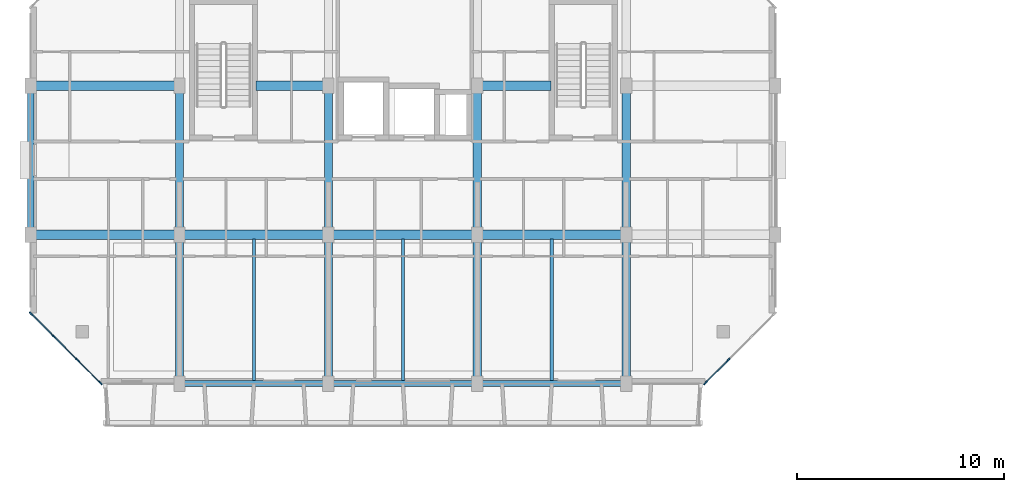
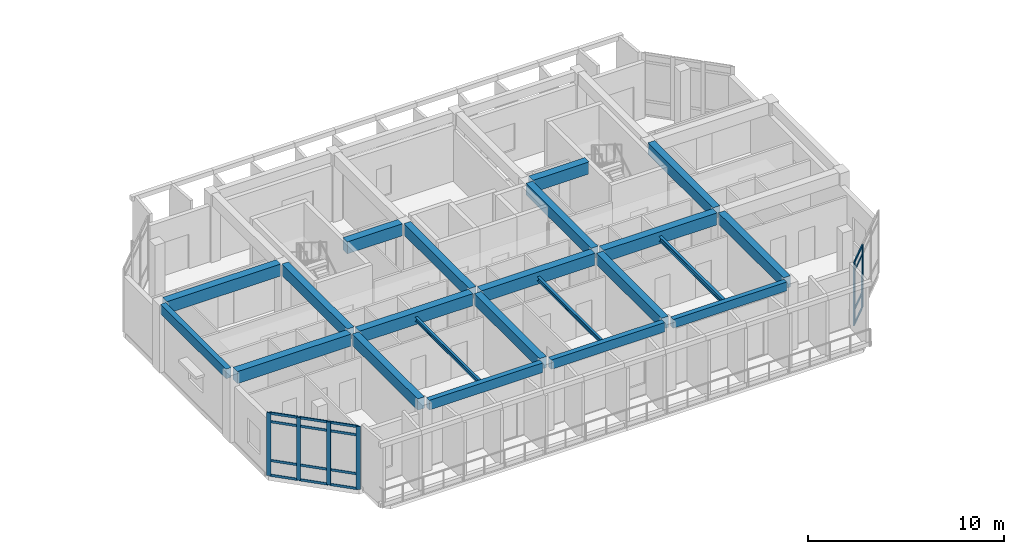
# One storey, part 16 of 85: 22 beams, 22 members, 2 elements without a shape of their own.
"""IFC4 building model written with IfcOpenShell, lengths in metres."""

from ifc_helpers import new_model, si_unit, direction, frame, origin, origin_2d, place, context, subcontext, project, spatial, rectangle, i_section, extrude, material, layer, layer_set, material_profile, profile_set, type_object, element, aggregate, save


model = new_model("IFC4")

# Units and contexts
model_context = context("Model", 3, precision=1e-05, world=origin(), true_north=direction((0.0, 1.0)))
body_context = subcontext(model_context, "Body", "Model", "MODEL_VIEW")
ifc_project = project(units=[si_unit("LENGTHUNIT", "METRE"), si_unit("AREAUNIT", "SQUARE_METRE"), si_unit("VOLUMEUNIT", "CUBIC_METRE"), si_unit("PLANEANGLEUNIT", "RADIAN"), si_unit("MASSUNIT", "GRAM", prefix="KILO")], contexts=[model_context])

# Site, building, storey
site_placement = place(None, origin())
site = spatial("IfcSite", under=ifc_project, at=site_placement, CompositionType="ELEMENT")
building_placement = place(site_placement, origin())
building = spatial("IfcBuilding", under=site, at=building_placement, Name="Ochrevale Crest", CompositionType="ELEMENT")
storey_placement = place(building_placement, frame((0.0, 0.0, 4.5)))
storey = spatial("IfcBuildingStorey", under=building, at=storey_placement, Name="L01", CompositionType="ELEMENT", Elevation=4.5)

# Beams
ifc_material_1 = material(Name="Precast concrete C50/60", Category="concrete")
ifc_material_profile_1 = material_profile(ifc_material_1, rectangle(XDim=0.39990234375, YDim=0.699951171875, at=origin_2d()), Name="PC 400x700")
ifc_profile_set_1 = profile_set([ifc_material_profile_1], Name="Precast concrete C50/60")
beam_type_1 = type_object("IfcBeamType", Name="BM-PC400x700", PredefinedType="BEAM", material=ifc_profile_set_1)
for number, where, z_axis, x_axis, name in (
    (1, (7.199951171875, 14.655029296875, 3.85009765625), (0.0, 1.0, 0.0), (-1.0, 0.0, 0.0), "Block A L01 N-S beam X=7.2"),
    (2, (7.199951171875, 21.85498046875, 3.85009765625), (0.0, 1.0, 0.0), (-1.0, 0.0, 0.0), "Block A L01 N-S beam X=7.2"),
    (3, (14.39990234375, 14.655029296875, 3.85009765625), (0.0, 1.0, 0.0), (-1.0, 0.0, 0.0), "Block A L01 N-S beam X=14.4"),
    (4, (14.39990234375, 21.85498046875, 3.85009765625), (0.0, 1.0, 0.0), (-1.0, 0.0, 0.0), "Block A L01 N-S beam X=14.4"),
    (5, (21.60009765625, 14.655029296875, 3.85009765625), (0.0, 1.0, 0.0), (-1.0, 0.0, 0.0), "Block A L01 N-S beam X=21.6"),
    (6, (21.60009765625, 21.85498046875, 3.85009765625), (0.0, 1.0, 0.0), (-1.0, 0.0, 0.0), "Block A L01 N-S beam X=21.6"),
    (7, (28.800048828125, 14.655029296875, 3.85009765625), (0.0, 1.0, 0.0), (-1.0, 0.0, 0.0), "Block A L01 N-S beam X=28.8"),
    (8, (28.800048828125, 21.85498046875, 3.85009765625), (0.0, 1.0, 0.0), (-1.0, 0.0, 0.0), "Block A L01 N-S beam X=28.8"),
):
    element("IfcBeam", number, at=place(storey_placement, frame(where, z_axis=z_axis, x_axis=x_axis)), inside=storey, type_object=beam_type_1, Name=name, PredefinedType="BEAM", context=body_context, shape_type="SweptSolid", body=[
        extrude(rectangle(XDim=0.39990234375, YDim=0.699951171875, at=origin_2d()), origin(), (0.0, 0.0, 1.0), 6.68994140625),
    ])
ifc_material_2 = material(Name="Concrete C50/60", Category="concrete")
ifc_material_profile_2 = material_profile(ifc_material_2, rectangle(XDim=0.449951171875, YDim=0.75, at=origin_2d()), Name="RC 450x750")
ifc_profile_set_2 = profile_set([ifc_material_profile_2], Name="Concrete C50/60")
beam_type_2 = type_object("IfcBeamType", Name="BM-PG450x750", PredefinedType="USERDEFINED", material=ifc_profile_set_2)
for number, where, z_axis, x_axis, name in (
    (9, (0.25, 21.60009765625, 3.824951171875), (1.0, 0.0, 0.0), (0.0, 1.0, 0.0), "Block A L01 E-W beam Y=21.6"),
    (10, (7.449951171875, 21.60009765625, 3.824951171875), (1.0, 0.0, 0.0), (0.0, 1.0, 0.0), "Block A L01 E-W beam Y=21.6"),
):
    element("IfcBeam", number, at=place(storey_placement, frame(where, z_axis=z_axis, x_axis=x_axis)), inside=storey, type_object=beam_type_2, Name=name, ObjectType="GIRDER", PredefinedType="USERDEFINED", context=body_context, shape_type="SweptSolid", body=[
        extrude(rectangle(XDim=0.449951171875, YDim=0.75, at=origin_2d()), origin(), (0.0, 0.0, 1.0), 6.699951171875),
    ])
beam_1_placement = place(storey_placement, frame((14.64990234375, 21.60009765625, 3.824951171875), z_axis=(1.0, 0.0, 0.0), x_axis=(0.0, 1.0, 0.0)))
element("IfcBeam", 11, at=beam_1_placement, inside=storey, type_object=beam_type_2, Name="Block A L01 E-W beam Y=21.6", ObjectType="GIRDER", PredefinedType="USERDEFINED", context=body_context, shape_type="SweptSolid", body=[
    extrude(rectangle(XDim=0.449951171875, YDim=0.75, at=origin_2d()), origin(), (0.0, 0.0, 1.0), 6.7001953125),
])
for number, where, z_axis, x_axis, name in (
    (12, (21.85009765625, 21.60009765625, 3.824951171875), (1.0, 0.0, 0.0), (0.0, 1.0, 0.0), "Block A L01 E-W beam Y=21.6"),
    (13, (0.25, 28.800048828125, 3.824951171875), (1.0, 0.0, 0.0), (0.0, 1.0, 0.0), "Block A L01 E-W beam Y=28.8"),
):
    element("IfcBeam", number, at=place(storey_placement, frame(where, z_axis=z_axis, x_axis=x_axis)), inside=storey, type_object=beam_type_2, Name=name, ObjectType="GIRDER", PredefinedType="USERDEFINED", context=body_context, shape_type="SweptSolid", body=[
        extrude(rectangle(XDim=0.449951171875, YDim=0.75, at=origin_2d()), origin(), (0.0, 0.0, 1.0), 6.699951171875),
    ])
beam_2_placement = place(storey_placement, frame((10.889892578125, 28.800048828125, 3.824951171875), z_axis=(1.0, 0.0, 0.0), x_axis=(0.0, 1.0, 0.0)))
element("IfcBeam", 14, at=beam_2_placement, inside=storey, type_object=beam_type_2, Name="Block A L01 E-W beam Y=28.8", ObjectType="GIRDER", PredefinedType="USERDEFINED", context=body_context, shape_type="SweptSolid", body=[
    extrude(rectangle(XDim=0.449951171875, YDim=0.75, at=origin_2d()), origin(), (0.0, 0.0, 1.0), 3.260009765625),
])
beam_3_placement = place(storey_placement, frame((21.85009765625, 28.800048828125, 3.824951171875), z_axis=(1.0, 0.0, 0.0), x_axis=(0.0, 1.0, 0.0)))
element("IfcBeam", 15, at=beam_3_placement, inside=storey, type_object=beam_type_2, Name="Block A L01 E-W beam Y=28.8", ObjectType="GIRDER", PredefinedType="USERDEFINED", context=body_context, shape_type="SweptSolid", body=[
    extrude(rectangle(XDim=0.449951171875, YDim=0.75, at=origin_2d()), origin(), (0.0, 0.0, 1.0), 3.309814453125),
])
ifc_material_3 = material(Name="Precast concrete C40/50", Category="concrete")
ifc_material_profile_3 = material_profile(ifc_material_3, rectangle(XDim=0.280029296875, YDim=0.550048828125, at=origin_2d()), Name="PC 280x550")
ifc_profile_set_3 = profile_set([ifc_material_profile_3], Name="Precast concrete C40/50")
beam_type_3 = type_object("IfcBeamType", Name="BM-SP280x550", PredefinedType="SPANDREL", material=ifc_profile_set_3)
beam_4_placement = place(storey_placement, frame((21.85009765625, 14.39990234375, 3.925048828125), z_axis=(1.0, 0.0, 0.0), x_axis=(0.0, 1.0, 0.0)))
element("IfcBeam", 16, at=beam_4_placement, inside=storey, type_object=beam_type_3, Name="Block A L01 E-W beam Y=14.4", PredefinedType="SPANDREL", context=body_context, shape_type="SweptSolid", body=[
    extrude(rectangle(XDim=0.280029296875, YDim=0.550048828125, at=origin_2d()), origin(), (0.0, 0.0, 1.0), 6.699951171875),
])
ifc_material_profile_4 = material_profile(ifc_material_3, rectangle(XDim=0.300048828125, YDim=0.580078125, at=origin_2d()), Name="PC 300x580")
ifc_profile_set_4 = profile_set([ifc_material_profile_4], Name="Precast concrete C40/50")
beam_type_4 = type_object("IfcBeamType", Name="BM-SP300x580", PredefinedType="SPANDREL", material=ifc_profile_set_4)
beam_5_placement = place(storey_placement, frame((14.64990234375, 14.39990234375, 3.909912109375), z_axis=(1.0, 0.0, 0.0), x_axis=(0.0, 1.0, 0.0)))
element("IfcBeam", 17, at=beam_5_placement, inside=storey, type_object=beam_type_4, Name="Block A L01 E-W beam Y=14.4", PredefinedType="SPANDREL", context=body_context, shape_type="SweptSolid", body=[
    extrude(rectangle(XDim=0.300048828125, YDim=0.580078125, at=origin_2d()), origin(), (0.0, 0.0, 1.0), 6.7001953125),
])
ifc_material_profile_5 = material_profile(ifc_material_3, rectangle(XDim=0.300048828125, YDim=0.60009765625, at=origin_2d()), Name="PC 300x600")
ifc_profile_set_5 = profile_set([ifc_material_profile_5], Name="Precast concrete C40/50")
beam_type_5 = type_object("IfcBeamType", Name="BM-SP300x600", PredefinedType="SPANDREL", material=ifc_profile_set_5)
beam_6_placement = place(storey_placement, frame((7.449951171875, 14.39990234375, 3.89990234375), z_axis=(1.0, 0.0, 0.0), x_axis=(0.0, 1.0, 0.0)))
element("IfcBeam", 18, at=beam_6_placement, inside=storey, type_object=beam_type_5, Name="Block A L01 E-W beam Y=14.4", PredefinedType="SPANDREL", context=body_context, shape_type="SweptSolid", body=[
    extrude(rectangle(XDim=0.300048828125, YDim=0.60009765625, at=origin_2d()), origin(), (0.0, 0.0, 1.0), 6.699951171875),
])
beam_7_placement = place(storey_placement, frame((0.0, 21.85498046875, 3.89990234375), z_axis=(0.0, 1.0, 0.0), x_axis=(-1.0, 0.0, 0.0)))
element("IfcBeam", 19, at=beam_7_placement, inside=storey, type_object=beam_type_5, Name="Block A L01 N-S beam X=0.0", PredefinedType="SPANDREL", context=body_context, shape_type="SweptSolid", body=[
    extrude(rectangle(XDim=0.300048828125, YDim=0.60009765625, at=origin_2d()), origin(), (0.0, 0.0, 1.0), 6.68994140625),
])
ifc_material_4 = material(Name="Steel S355", Category="steel")
ifc_material_profile_6 = material_profile(ifc_material_4, i_section(OverallWidth=0.14599609375, OverallDepth=0.251708984375, WebThickness=0.006103515625, FlangeThickness=0.008544921875, FilletRadius=0.0087890625, at=origin_2d()), Name="250UB31.4")
ifc_profile_set_6 = profile_set([ifc_material_profile_6], Name="Steel S355")
beam_type_6 = type_object("IfcBeamType", Name="BM-UB250A", PredefinedType="JOIST", material=ifc_profile_set_6)
beam_8_placement = place(storey_placement, frame((10.800048828125, 14.5380859375, 3.79931640625), z_axis=(0.0, 1.0, 0.0), x_axis=(-1.0, 0.0, 0.0)))
element("IfcBeam", 20, at=beam_8_placement, inside=storey, type_object=beam_type_6, Name="Block A L01 composite plank trimmer beam 2", PredefinedType="JOIST", context=body_context, shape_type="SweptSolid", body=[
    extrude(i_section(OverallWidth=0.14599609375, OverallDepth=0.251708984375, WebThickness=0.006103515625, FlangeThickness=0.008544921875, FilletRadius=0.0087890625, at=origin_2d()), origin(), (0.0, 0.0, 1.0), 6.848876953125),
])
ifc_material_profile_7 = material_profile(ifc_material_4, i_section(OverallWidth=0.146484375, OverallDepth=0.256103515625, WebThickness=0.00634765625, FlangeThickness=0.010986328125, FilletRadius=0.0087890625, at=origin_2d()), Name="250UB37.3")
ifc_profile_set_7 = profile_set([ifc_material_profile_7], Name="Steel S355")
beam_type_7 = type_object("IfcBeamType", Name="BM-UB250B", PredefinedType="JOIST", material=ifc_profile_set_7)
beam_9_placement = place(storey_placement, frame((18.0, 14.5380859375, 3.796875), z_axis=(0.0, 1.0, 0.0), x_axis=(-1.0, 0.0, 0.0)))
element("IfcBeam", 21, at=beam_9_placement, inside=storey, type_object=beam_type_7, Name="Block A L01 composite plank trimmer beam 3", PredefinedType="JOIST", context=body_context, shape_type="SweptSolid", body=[
    extrude(i_section(OverallWidth=0.146484375, OverallDepth=0.256103515625, WebThickness=0.00634765625, FlangeThickness=0.010986328125, FilletRadius=0.0087890625, at=origin_2d()), origin(), (0.0, 0.0, 1.0), 6.848876953125),
])
ifc_material_profile_8 = material_profile(ifc_material_4, i_section(OverallWidth=0.1650390625, OverallDepth=0.3037109375, WebThickness=0.006103515625, FlangeThickness=0.01025390625, FilletRadius=0.011474609375, at=origin_2d()), Name="310UB40.4")
ifc_profile_set_8 = profile_set([ifc_material_profile_8], Name="Steel S355")
beam_type_8 = type_object("IfcBeamType", Name="BM-UB310A", PredefinedType="BEAM", material=ifc_profile_set_8)
beam_10_placement = place(storey_placement, frame((25.199951171875, 14.528076171875, 3.773193359375), z_axis=(0.0, 1.0, 0.0), x_axis=(-1.0, 0.0, 0.0)))
element("IfcBeam", 22, at=beam_10_placement, inside=storey, type_object=beam_type_8, Name="Block A L01 composite plank trimmer beam 4", PredefinedType="BEAM", context=body_context, shape_type="SweptSolid", body=[
    extrude(i_section(OverallWidth=0.1650390625, OverallDepth=0.3037109375, WebThickness=0.006103515625, FlangeThickness=0.01025390625, FilletRadius=0.011474609375, at=origin_2d()), origin(), (0.0, 0.0, 1.0), 6.85888671875),
])

# Curtain wall, members
ifc_material_5 = material(Name="Anodised aluminium 6063-T5", Category="aluminium")
ifc_layer = layer(ifc_material_5, 0.14990234375)
ifc_layer_set = layer_set([ifc_layer], Name="Anodised aluminium 6063-T5")
curtain_wall_type = type_object("IfcCurtainWallType", Name="CW-WG-360x385", PredefinedType="NOTDEFINED", material=ifc_layer_set)
curtain_wall_1_placement = place(storey_placement, origin())
curtain_wall_1 = element("IfcCurtainWall", 23, at=curtain_wall_1_placement, inside=storey, type_object=curtain_wall_type, Name="Block A L01 chamfered corner wintergarden curtain wall 2", PredefinedType="NOTDEFINED")
ifc_material_profile_9 = material_profile(ifc_material_5, rectangle(XDim=0.074951171875, YDim=0.219970703125, at=origin_2d()), Name="ALU 75x220")
ifc_profile_set_9 = profile_set([ifc_material_profile_9], Name="Anodised aluminium 6063-T5")
member_type_1 = type_object("IfcMemberType", Name="CW-MUL-75x220", PredefinedType="MULLION", material=ifc_profile_set_9)
member_1_placement = place(storey_placement, frame((32.62646484375, 14.426513671875, 0.0), z_axis=(0.0, 0.0, 1.0), x_axis=(-0.707106781187, 0.707106781187, 0.0)))
member_1 = element("IfcMember", 24, at=member_1_placement, type_object=member_type_1, Name="CW20 mullion 1", PredefinedType="MULLION", context=body_context, shape_type="SweptSolid", body=[
    extrude(rectangle(XDim=0.074951171875, YDim=0.219970703125, at=origin_2d()), origin(), (0.0, 0.0, 1.0), 3.925048828125),
])
member_2_placement = place(storey_placement, frame((33.7333984375, 15.533447265625, 0.0), z_axis=(0.0, 0.0, 1.0), x_axis=(-0.707106781187, 0.707106781187, 0.0)))
member_2 = element("IfcMember", 25, at=member_2_placement, type_object=member_type_1, Name="CW20 mullion 2", PredefinedType="MULLION", context=body_context, shape_type="SweptSolid", body=[
    extrude(rectangle(XDim=0.074951171875, YDim=0.219970703125, at=origin_2d()), origin(), (0.0, 0.0, 1.0), 3.925048828125),
])

curtain_wall_2_placement = place(storey_placement, origin())
curtain_wall_2 = element("IfcCurtainWall", 26, at=curtain_wall_2_placement, inside=storey, type_object=curtain_wall_type, Name="Block A L01 chamfered corner wintergarden curtain wall 8", PredefinedType="NOTDEFINED")
member_3_placement = place(storey_placement, frame((0.026611328125, 17.7734375, 0.0), z_axis=(0.0, 0.0, 1.0), x_axis=(0.707106781187, 0.707106781187, 0.0)))
member_3 = element("IfcMember", 27, at=member_3_placement, type_object=member_type_1, Name="CW20 mullion 1", PredefinedType="MULLION", context=body_context, shape_type="SweptSolid", body=[
    extrude(rectangle(XDim=0.074951171875, YDim=0.219970703125, at=origin_2d()), origin(), (0.0, 0.0, 1.0), 3.925048828125),
])
member_4_placement = place(storey_placement, frame((1.13330078125, 16.666748046875, 0.0), z_axis=(0.0, 0.0, 1.0), x_axis=(0.707106781187, 0.707106781187, 0.0)))
member_4 = element("IfcMember", 28, at=member_4_placement, type_object=member_type_1, Name="CW20 mullion 2", PredefinedType="MULLION", context=body_context, shape_type="SweptSolid", body=[
    extrude(rectangle(XDim=0.074951171875, YDim=0.219970703125, at=origin_2d()), origin(), (0.0, 0.0, 1.0), 3.925048828125),
])
member_5_placement = place(storey_placement, frame((2.2666015625, 15.533447265625, 0.0), z_axis=(0.0, 0.0, 1.0), x_axis=(0.707106781187, 0.707106781187, 0.0)))
member_5 = element("IfcMember", 29, at=member_5_placement, type_object=member_type_1, Name="CW20 mullion 3", PredefinedType="MULLION", context=body_context, shape_type="SweptSolid", body=[
    extrude(rectangle(XDim=0.074951171875, YDim=0.219970703125, at=origin_2d()), origin(), (0.0, 0.0, 1.0), 3.925048828125),
])
member_6_placement = place(storey_placement, frame((3.37353515625, 14.426513671875, 0.0), z_axis=(0.0, 0.0, 1.0), x_axis=(0.707106781187, 0.707106781187, 0.0)))
member_6 = element("IfcMember", 30, at=member_6_placement, type_object=member_type_1, Name="CW20 mullion 4", PredefinedType="MULLION", context=body_context, shape_type="SweptSolid", body=[
    extrude(rectangle(XDim=0.074951171875, YDim=0.219970703125, at=origin_2d()), origin(), (0.0, 0.0, 1.0), 3.925048828125),
])

# Member
ifc_material_profile_10 = material_profile(ifc_material_5, rectangle(XDim=0.06005859375, YDim=0.14990234375, at=origin_2d()), Name="ALU 60x150")
ifc_profile_set_10 = profile_set([ifc_material_profile_10], Name="Anodised aluminium 6063-T5")
member_type_2 = type_object("IfcMemberType", Name="CW-TRN-60x150", PredefinedType="USERDEFINED", material=ifc_profile_set_10)
member_7_placement = place(storey_placement, frame((32.653076171875, 14.453125, 0.030029296875), z_axis=(0.707106781187, 0.707106781187, 0.0), x_axis=(-0.707106781187, 0.707106781187, 0.0)))
member_7 = element("IfcMember", 31, at=member_7_placement, type_object=member_type_2, Name="CW20 transom 1.1", ObjectType="TRANSOM", PredefinedType="USERDEFINED", context=body_context, shape_type="SweptSolid", body=[
    extrude(rectangle(XDim=0.06005859375, YDim=0.14990234375, at=origin_2d()), origin(), (0.0, 0.0, 1.0), 1.490234375),
])

member_8_placement = place(storey_placement, frame((32.653076171875, 14.453125, 0.949951171875), z_axis=(0.707106781187, 0.707106781187, 0.0), x_axis=(-0.707106781187, 0.707106781187, 0.0)))
member_8 = element("IfcMember", 32, at=member_8_placement, type_object=member_type_2, Name="CW20 transom 1.2", ObjectType="TRANSOM", PredefinedType="USERDEFINED", context=body_context, shape_type="SweptSolid", body=[
    extrude(rectangle(XDim=0.06005859375, YDim=0.14990234375, at=origin_2d()), origin(), (0.0, 0.0, 1.0), 1.490234375),
])

member_9_placement = place(storey_placement, frame((32.653076171875, 14.453125, 3.375), z_axis=(0.707106781187, 0.707106781187, 0.0), x_axis=(-0.707106781187, 0.707106781187, 0.0)))
member_9 = element("IfcMember", 33, at=member_9_placement, type_object=member_type_2, Name="CW20 transom 1.3", ObjectType="TRANSOM", PredefinedType="USERDEFINED", context=body_context, shape_type="SweptSolid", body=[
    extrude(rectangle(XDim=0.06005859375, YDim=0.14990234375, at=origin_2d()), origin(), (0.0, 0.0, 1.0), 1.490234375),
])

member_10_placement = place(storey_placement, frame((32.653076171875, 14.453125, 3.89501953125), z_axis=(0.707106781187, 0.707106781187, 0.0), x_axis=(-0.707106781187, 0.707106781187, 0.0)))
member_10 = element("IfcMember", 34, at=member_10_placement, type_object=member_type_2, Name="CW20 transom 1.4", ObjectType="TRANSOM", PredefinedType="USERDEFINED", context=body_context, shape_type="SweptSolid", body=[
    extrude(rectangle(XDim=0.06005859375, YDim=0.14990234375, at=origin_2d()), origin(), (0.0, 0.0, 1.0), 1.490234375),
])

aggregate(curtain_wall_1, [member_1, member_2, member_7, member_8, member_9, member_10])

member_11_placement = place(storey_placement, frame((0.052978515625, 17.7470703125, 0.030029296875), z_axis=(0.707106781187, -0.707106781187, 0.0), x_axis=(0.707106781187, 0.707106781187, 0.0)))
member_11 = element("IfcMember", 35, at=member_11_placement, type_object=member_type_2, Name="CW20 transom 1.1", ObjectType="TRANSOM", PredefinedType="USERDEFINED", context=body_context, shape_type="SweptSolid", body=[
    extrude(rectangle(XDim=0.06005859375, YDim=0.14990234375, at=origin_2d()), origin(), (0.0, 0.0, 1.0), 1.490478515625),
])

member_12_placement = place(storey_placement, frame((0.052978515625, 17.7470703125, 0.949951171875), z_axis=(0.707106781187, -0.707106781187, 0.0), x_axis=(0.707106781187, 0.707106781187, 0.0)))
member_12 = element("IfcMember", 36, at=member_12_placement, type_object=member_type_2, Name="CW20 transom 1.2", ObjectType="TRANSOM", PredefinedType="USERDEFINED", context=body_context, shape_type="SweptSolid", body=[
    extrude(rectangle(XDim=0.06005859375, YDim=0.14990234375, at=origin_2d()), origin(), (0.0, 0.0, 1.0), 1.490478515625),
])

member_13_placement = place(storey_placement, frame((0.052978515625, 17.7470703125, 3.375), z_axis=(0.707106781187, -0.707106781187, 0.0), x_axis=(0.707106781187, 0.707106781187, 0.0)))
member_13 = element("IfcMember", 37, at=member_13_placement, type_object=member_type_2, Name="CW20 transom 1.3", ObjectType="TRANSOM", PredefinedType="USERDEFINED", context=body_context, shape_type="SweptSolid", body=[
    extrude(rectangle(XDim=0.06005859375, YDim=0.14990234375, at=origin_2d()), origin(), (0.0, 0.0, 1.0), 1.490478515625),
])

member_14_placement = place(storey_placement, frame((0.052978515625, 17.7470703125, 3.89501953125), z_axis=(0.707106781187, -0.707106781187, 0.0), x_axis=(0.707106781187, 0.707106781187, 0.0)))
member_14 = element("IfcMember", 38, at=member_14_placement, type_object=member_type_2, Name="CW20 transom 1.4", ObjectType="TRANSOM", PredefinedType="USERDEFINED", context=body_context, shape_type="SweptSolid", body=[
    extrude(rectangle(XDim=0.06005859375, YDim=0.14990234375, at=origin_2d()), origin(), (0.0, 0.0, 1.0), 1.490478515625),
])

member_15_placement = place(storey_placement, frame((1.159912109375, 16.64013671875, 0.030029296875), z_axis=(0.707106781187, -0.707106781187, 0.0), x_axis=(0.707106781187, 0.707106781187, 0.0)))
member_15 = element("IfcMember", 39, at=member_15_placement, type_object=member_type_2, Name="CW20 transom 2.1", ObjectType="TRANSOM", PredefinedType="USERDEFINED", context=body_context, shape_type="SweptSolid", body=[
    extrude(rectangle(XDim=0.06005859375, YDim=0.14990234375, at=origin_2d()), origin(), (0.0, 0.0, 1.0), 1.52783203125),
])

member_16_placement = place(storey_placement, frame((1.159912109375, 16.64013671875, 0.949951171875), z_axis=(0.707106781187, -0.707106781187, 0.0), x_axis=(0.707106781187, 0.707106781187, 0.0)))
member_16 = element("IfcMember", 40, at=member_16_placement, type_object=member_type_2, Name="CW20 transom 2.2", ObjectType="TRANSOM", PredefinedType="USERDEFINED", context=body_context, shape_type="SweptSolid", body=[
    extrude(rectangle(XDim=0.06005859375, YDim=0.14990234375, at=origin_2d()), origin(), (0.0, 0.0, 1.0), 1.52783203125),
])

member_17_placement = place(storey_placement, frame((1.159912109375, 16.64013671875, 3.375), z_axis=(0.707106781187, -0.707106781187, 0.0), x_axis=(0.707106781187, 0.707106781187, 0.0)))
member_17 = element("IfcMember", 41, at=member_17_placement, type_object=member_type_2, Name="CW20 transom 2.3", ObjectType="TRANSOM", PredefinedType="USERDEFINED", context=body_context, shape_type="SweptSolid", body=[
    extrude(rectangle(XDim=0.06005859375, YDim=0.14990234375, at=origin_2d()), origin(), (0.0, 0.0, 1.0), 1.52783203125),
])

member_18_placement = place(storey_placement, frame((1.159912109375, 16.64013671875, 3.89501953125), z_axis=(0.707106781187, -0.707106781187, 0.0), x_axis=(0.707106781187, 0.707106781187, 0.0)))
member_18 = element("IfcMember", 42, at=member_18_placement, type_object=member_type_2, Name="CW20 transom 2.4", ObjectType="TRANSOM", PredefinedType="USERDEFINED", context=body_context, shape_type="SweptSolid", body=[
    extrude(rectangle(XDim=0.06005859375, YDim=0.14990234375, at=origin_2d()), origin(), (0.0, 0.0, 1.0), 1.52783203125),
])

member_19_placement = place(storey_placement, frame((2.293212890625, 15.5068359375, 0.030029296875), z_axis=(0.707106781187, -0.707106781187, 0.0), x_axis=(0.707106781187, 0.707106781187, 0.0)))
member_19 = element("IfcMember", 43, at=member_19_placement, type_object=member_type_2, Name="CW20 transom 3.1", ObjectType="TRANSOM", PredefinedType="USERDEFINED", context=body_context, shape_type="SweptSolid", body=[
    extrude(rectangle(XDim=0.06005859375, YDim=0.14990234375, at=origin_2d()), origin(), (0.0, 0.0, 1.0), 1.490234375),
])

member_20_placement = place(storey_placement, frame((2.293212890625, 15.5068359375, 0.949951171875), z_axis=(0.707106781187, -0.707106781187, 0.0), x_axis=(0.707106781187, 0.707106781187, 0.0)))
member_20 = element("IfcMember", 44, at=member_20_placement, type_object=member_type_2, Name="CW20 transom 3.2", ObjectType="TRANSOM", PredefinedType="USERDEFINED", context=body_context, shape_type="SweptSolid", body=[
    extrude(rectangle(XDim=0.06005859375, YDim=0.14990234375, at=origin_2d()), origin(), (0.0, 0.0, 1.0), 1.490234375),
])

member_21_placement = place(storey_placement, frame((2.293212890625, 15.5068359375, 3.375), z_axis=(0.707106781187, -0.707106781187, 0.0), x_axis=(0.707106781187, 0.707106781187, 0.0)))
member_21 = element("IfcMember", 45, at=member_21_placement, type_object=member_type_2, Name="CW20 transom 3.3", ObjectType="TRANSOM", PredefinedType="USERDEFINED", context=body_context, shape_type="SweptSolid", body=[
    extrude(rectangle(XDim=0.06005859375, YDim=0.14990234375, at=origin_2d()), origin(), (0.0, 0.0, 1.0), 1.490234375),
])

member_22_placement = place(storey_placement, frame((2.293212890625, 15.5068359375, 3.89501953125), z_axis=(0.707106781187, -0.707106781187, 0.0), x_axis=(0.707106781187, 0.707106781187, 0.0)))
member_22 = element("IfcMember", 46, at=member_22_placement, type_object=member_type_2, Name="CW20 transom 3.4", ObjectType="TRANSOM", PredefinedType="USERDEFINED", context=body_context, shape_type="SweptSolid", body=[
    extrude(rectangle(XDim=0.06005859375, YDim=0.14990234375, at=origin_2d()), origin(), (0.0, 0.0, 1.0), 1.490234375),
])

aggregate(curtain_wall_2, [member_3, member_4, member_5, member_6, member_11, member_12, member_13, member_14, member_15, member_16, member_17, member_18, member_19, member_20, member_21, member_22])

save(model, "model.ifc")
